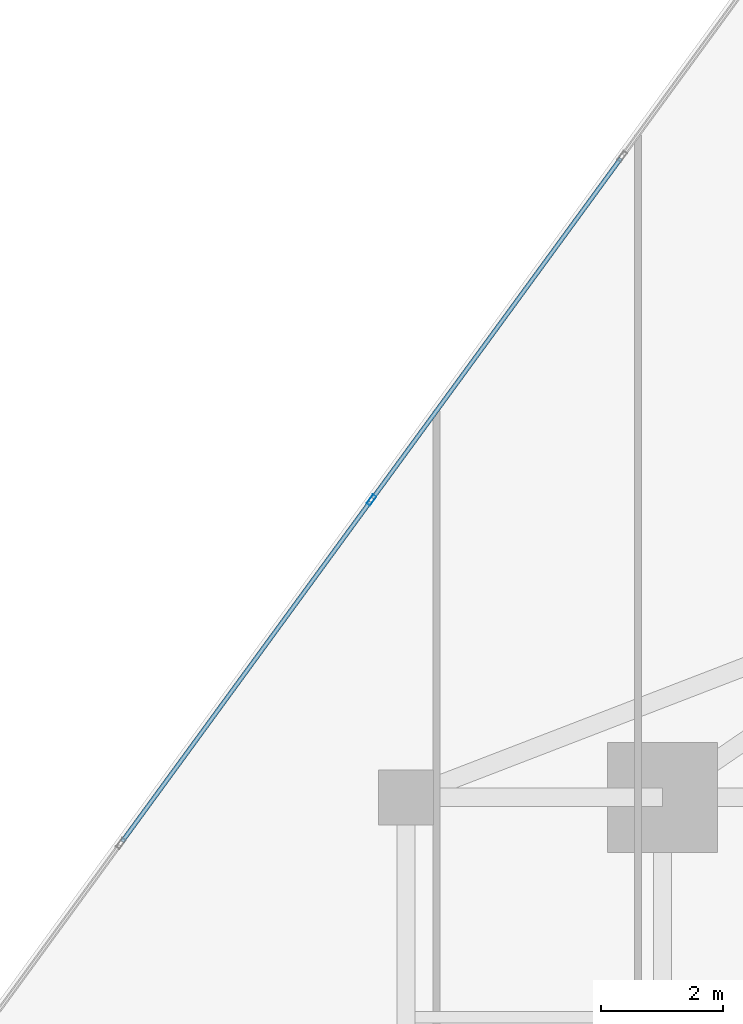
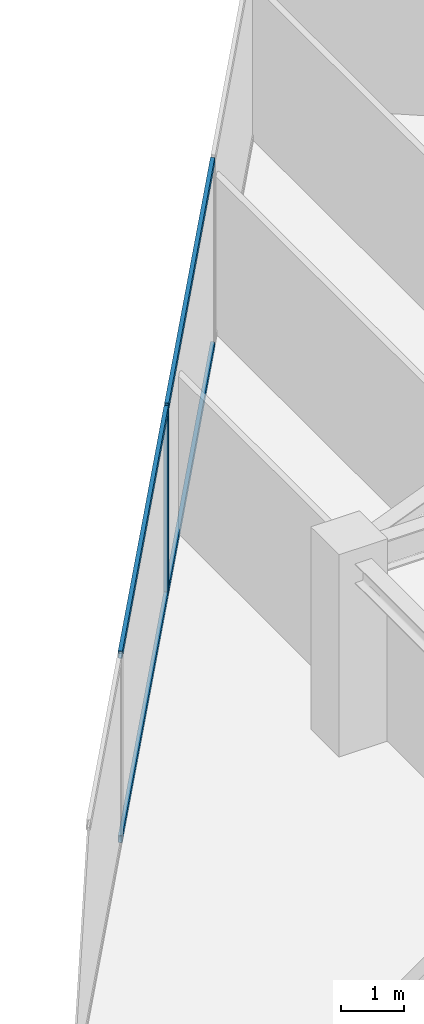
# One storey, part 13 of 25: 5 members, 1 element without a shape of its own.
"""IFC4 building model written with IfcOpenShell, lengths in metres."""

from ifc_helpers import new_model, si_unit, direction, frame, origin, origin_2d, place, context, subcontext, project, spatial, hollow_rectangle, extrude, source, transform, mapped, material, material_profile, profile_set, type_object, type_shapes, element, aggregate, save


model = new_model("IFC4")

# Units and contexts
model_context = context("Model", 3, precision=1e-05, world=origin(), true_north=direction((0.0, 1.0)))
body_context = subcontext(model_context, "Body", "Model", "MODEL_VIEW")
ifc_project = project(units=[si_unit("LENGTHUNIT", "METRE"), si_unit("AREAUNIT", "SQUARE_METRE"), si_unit("VOLUMEUNIT", "CUBIC_METRE"), si_unit("PLANEANGLEUNIT", "RADIAN"), si_unit("MASSUNIT", "GRAM", prefix="KILO")], contexts=[model_context])

# Site, building, storey
site_placement = place(None, origin())
site = spatial("IfcSite", under=ifc_project, at=site_placement, CompositionType="ELEMENT")
building_placement = place(site_placement, origin())
building = spatial("IfcBuilding", under=site, at=building_placement, Name="Krantzveldt Concourse Tower", CompositionType="ELEMENT")
storey_placement = place(building_placement, frame((0.0, 0.0, 193.60009765625)))
storey = spatial("IfcBuildingStorey", under=building, at=storey_placement, Name="L47", CompositionType="ELEMENT", Elevation=193.60009765625)

# Curtain wall, members
ifc_material = material(Name="Anodised aluminium 6063-T6", Category="aluminium")
curtain_wall_type = type_object("IfcCurtainWallType", Name="CW3", PredefinedType="USERDEFINED", material=ifc_material)
curtain_wall_placement = place(storey_placement, origin())
curtain_wall = element("IfcCurtainWall", 1, at=curtain_wall_placement, inside=storey, type_object=curtain_wall_type, Name="CW-L47-F01", ObjectType="UNITISED CURTAIN WALL", PredefinedType="USERDEFINED")
ifc_material_profile_1 = material_profile(ifc_material, hollow_rectangle(XDim=0.070068359375, YDim=0.179931640625, WallThickness=0.0048828125, at=origin_2d()), Name="Anodised aluminium 6063-T6", Category="aluminium")
ifc_profile_set_1 = profile_set([ifc_material_profile_1], Name="Anodised aluminium 6063-T6 - ALU-MULL 180x70x5")
member_type_1 = type_object("IfcMemberType", Name="CW-MUL-180", PredefinedType="MULLION", material=ifc_profile_set_1)
shared_shape_1 = source(origin(), body_context, "Body", "SweptSolid", [
    extrude(hollow_rectangle(XDim=0.070068359375, YDim=0.179931640625, WallThickness=0.0048828125, at=origin_2d()), origin(), (0.0, 0.0, 1.0), 3.669921875),
])
type_shapes(member_type_1, [shared_shape_1])
member_1_placement = place(storey_placement, frame((20.43505859375, 42.368896484375, 0.0), z_axis=(0.0, 0.0, 1.0), x_axis=(0.807732735781, -0.589548833895, 0.0)))
member_1 = element("IfcMember", 2, at=member_1_placement, type_object=member_type_1, Name="CW-Z34 mullion 3", PredefinedType="MULLION", context=body_context, shape_type="MappedRepresentation", body=[
    mapped(shared_shape_1, transform((0.0, 0.0, 0.0), x_axis=(1.0, 0.0, 0.0), y_axis=(0.0, 1.0, 0.0), z_axis=(0.0, 0.0, 1.0), scale=1.0)),
])
ifc_material_profile_2 = material_profile(ifc_material, hollow_rectangle(XDim=0.070068359375, YDim=0.139892578125, WallThickness=0.0048828125, at=origin_2d()), Name="Anodised aluminium 6063-T6", Category="aluminium")
ifc_profile_set_2 = profile_set([ifc_material_profile_2], Name="Anodised aluminium 6063-T6 - ALU-TRAN 140x70x5")
member_type_2 = type_object("IfcMemberType", Name="CW-TRN-150", PredefinedType="USERDEFINED", material=ifc_profile_set_2)
shared_shape_2 = source(origin(), body_context, "Body", "SweptSolid", [
    extrude(hollow_rectangle(XDim=0.070068359375, YDim=0.139892578125, WallThickness=0.0048828125, at=origin_2d()), origin(), (0.0, 0.0, 1.0), 6.89013671875),
])
member_2_placement = place(storey_placement, frame((20.414306640625, 42.3408203125, 0.034912109375), z_axis=(-0.589540306055, -0.807738960021, 0.0), x_axis=(0.807738960021, -0.589540306055, 0.0)))
member_2 = element("IfcMember", 3, at=member_2_placement, type_object=member_type_2, Name="CW-Z34 transom 3.1", ObjectType="TRANSOM", PredefinedType="USERDEFINED", context=body_context, shape_type="MappedRepresentation", body=[
    mapped(shared_shape_2, transform((0.0, 0.0, 0.0), x_axis=(1.0, 0.0, 0.0), y_axis=(0.0, 1.0, 0.0), z_axis=(0.0, 0.0, 1.0), scale=1.0)),
])
member_3_placement = place(storey_placement, frame((20.414306640625, 42.3408203125, 3.635009765625), z_axis=(-0.589540306055, -0.807738960021, 0.0), x_axis=(0.807738960021, -0.589540306055, 0.0)))
member_3 = element("IfcMember", 4, at=member_3_placement, type_object=member_type_2, Name="CW-Z34 transom 3.2", ObjectType="TRANSOM", PredefinedType="USERDEFINED", context=body_context, shape_type="MappedRepresentation", body=[
    mapped(shared_shape_2, transform((0.0, 0.0, 0.0), x_axis=(1.0, 0.0, 0.0), y_axis=(0.0, 1.0, 0.0), z_axis=(0.0, 0.0, 1.0), scale=1.0)),
])
shared_shape_3 = source(origin(), body_context, "Body", "SweptSolid", [
    extrude(hollow_rectangle(XDim=0.070068359375, YDim=0.139892578125, WallThickness=0.0048828125, at=origin_2d()), origin(), (0.0, 0.0, 1.0), 6.889892578125),
])
type_shapes(member_type_2, [shared_shape_2, shared_shape_3])
member_4_placement = place(storey_placement, frame((24.517578125, 47.96240234375, 0.034912109375), z_axis=(-0.589557179589, -0.807726644352, 0.0), x_axis=(0.807726644352, -0.589557179589, 0.0)))
member_4 = element("IfcMember", 5, at=member_4_placement, type_object=member_type_2, Name="CW-Z34 transom 2.1", ObjectType="TRANSOM", PredefinedType="USERDEFINED", context=body_context, shape_type="MappedRepresentation", body=[
    mapped(shared_shape_3, transform((0.0, 0.0, 0.0), x_axis=(1.0, 0.0, 0.0), y_axis=(0.0, 1.0, 0.0), z_axis=(0.0, 0.0, 1.0), scale=1.0)),
])
member_5_placement = place(storey_placement, frame((24.517578125, 47.96240234375, 3.635009765625), z_axis=(-0.589557179589, -0.807726644352, 0.0), x_axis=(0.807726644352, -0.589557179589, 0.0)))
member_5 = element("IfcMember", 6, at=member_5_placement, type_object=member_type_2, Name="CW-Z34 transom 2.2", ObjectType="TRANSOM", PredefinedType="USERDEFINED", context=body_context, shape_type="MappedRepresentation", body=[
    mapped(shared_shape_3, transform((0.0, 0.0, 0.0), x_axis=(1.0, 0.0, 0.0), y_axis=(0.0, 1.0, 0.0), z_axis=(0.0, 0.0, 1.0), scale=1.0)),
])
aggregate(curtain_wall, [member_1, member_4, member_5, member_2, member_3])

save(model, "model.ifc")
